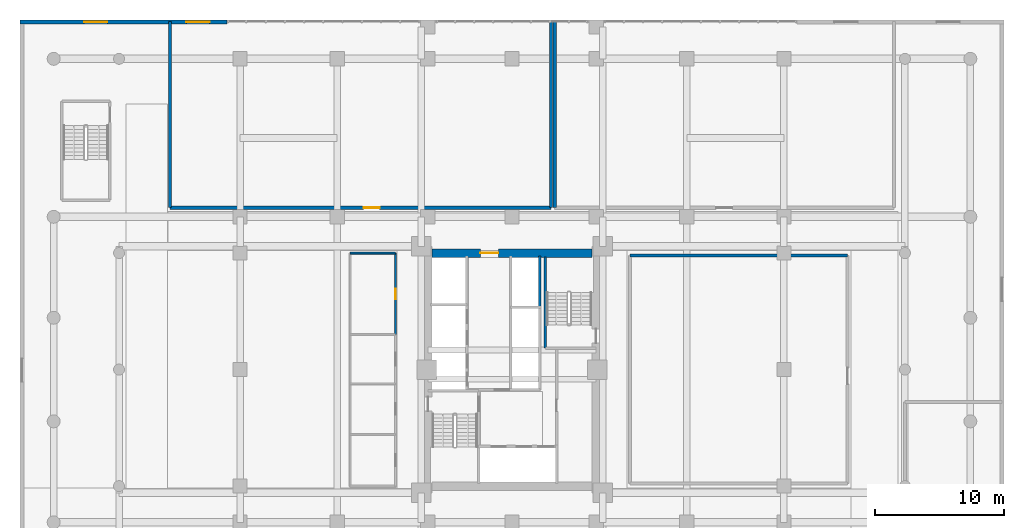
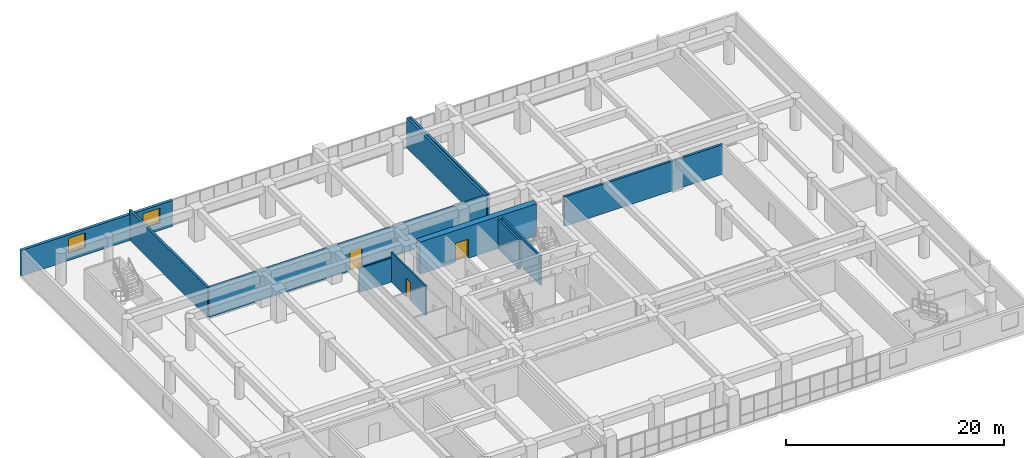
# One storey, part 20 of 30: 11 walls, 3 doors, 2 windows, 5 openings.
"""IFC4 building model written with IfcOpenShell, lengths in metres."""

from ifc_helpers import new_model, si_unit, direction, frame, frame_2d, origin, place, context, subcontext, project, spatial, rectangle, extrude, source, transform, mapped, material, layer, layer_set, type_object, element, fill, save


model = new_model("IFC4")

# Units and contexts
model_context = context("Model", 3, precision=1e-05, world=origin(), true_north=direction((0.0, 1.0)))
body_context = subcontext(model_context, "Body", "Model", "MODEL_VIEW")
ifc_project = project(units=[si_unit("LENGTHUNIT", "METRE"), si_unit("AREAUNIT", "SQUARE_METRE"), si_unit("VOLUMEUNIT", "CUBIC_METRE"), si_unit("PLANEANGLEUNIT", "RADIAN"), si_unit("MASSUNIT", "GRAM", prefix="KILO")], contexts=[model_context])

# Site, building, storey
site_placement = place(None, origin())
site = spatial("IfcSite", under=ifc_project, at=site_placement, CompositionType="ELEMENT")
building_placement = place(site_placement, origin())
building = spatial("IfcBuilding", under=site, at=building_placement, Name="Saelheon Loggia Tower", CompositionType="ELEMENT")
storey_placement = place(building_placement, frame((0.0, 0.0, 7.800048828125)))
storey = spatial("IfcBuildingStorey", under=building, at=storey_placement, Name="L02", CompositionType="ELEMENT", Elevation=7.800048828125)

# Wall, opening, door
ifc_material_1 = material(Name="Shielded High-Density Gypsum Partition", Category="gypsum")
ifc_layer_1 = layer(ifc_material_1, 0.239990234375)
ifc_layer_set_1 = layer_set([ifc_layer_1], Name="Shielded High-Density Gypsum Partition")
wall_type_1 = type_object("IfcWallType", Name="Wall_ClinicLead_240", PredefinedType="PARTITIONING", material=ifc_layer_set_1)
wall_1_placement = place(storey_placement, frame((11.60009765625, 39.5, 0.0), z_axis=(0.0, 0.0, 1.0), x_axis=(1.0, 0.0, 0.0)))
wall_1 = element("IfcWall", 1, at=wall_1_placement, inside=storey, type_object=wall_type_1, Name="PW-L02-LAB1-S", PredefinedType="PARTITIONING", context=body_context, shape_type="SweptSolid", body=[
    extrude(rectangle(XDim=29.39990234375, YDim=0.239990234375, at=frame_2d((14.699951171875, 0.0))), origin(), (0.0, 0.0, 1.0), 3.320068359375),
])
opening_1_placement = place(wall_1_placement, frame((14.932861328125, 0.0, 0.0)))
opening_1 = element("IfcOpeningElement", 2, at=opening_1_placement, cuts=wall_1, Name="Opening D-CL1", PredefinedType="OPENING", context=body_context, shape_type="SweptSolid", body=[
    extrude(rectangle(XDim=1.25, YDim=2.14990234375, at=frame_2d((0.625, 1.074951171875))), frame((0.0, 0.132080078125, 0.0), z_axis=(0.0, -1.0, 0.0), x_axis=(1.0, 0.0, 0.0)), (0.0, 0.0, 1.0), 0.263916015625),
])
ifc_material_2 = material(Name="Antimicrobial Hospital Laminate Door", Category="timber")
door_type_1 = type_object("IfcDoorType", Name="Door_Clinic_1250", OperationType="NOTDEFINED", PredefinedType="DOOR", material=ifc_material_2)
shared_shape_1 = source(origin(), body_context, "Body", "SweptSolid", [
    extrude(rectangle(XDim=1.25, YDim=2.14990234375, at=frame_2d((0.625, 1.074951171875))), frame((0.0, 0.02490234375, 0.0), z_axis=(0.0, -1.0, 0.0), x_axis=(1.0, 0.0, 0.0)), (0.0, 0.0, 1.0), 0.050048828125),
])
door_1_placement = place(opening_1_placement, origin())
door_1 = element("IfcDoor", 3, at=door_1_placement, inside=storey, type_object=door_type_1, Name="L02 Clinical Biochemistry Laboratory Hall Door", OperationType="SINGLE_SWING_LEFT", OverallHeight=2.14990234375, OverallWidth=1.25, PredefinedType="DOOR", context=body_context, shape_type="MappedRepresentation", body=[
    mapped(shared_shape_1, transform((0.0, 0.0, 0.0), scale=1.0)),
])
fill(opening_1, door_1)

# Walls
for number, where, z_axis, x_axis, name in (
    (4, (11.60009765625, 39.5, 0.0), (0.0, 0.0, 1.0), (0.0, 1.0, 0.0), "PW-L02-LAB1-W"),
    (5, (41.0, 39.5, 0.0), (0.0, 0.0, 1.0), (0.0, 1.0, 0.0), "PW-L02-LAB1-E"),
    (6, (41.300048828125, 39.5, 0.0), (0.0, 0.0, 1.0), (0.0, 1.0, 0.0), "PW-L02-SPEC2-W"),
):
    element("IfcWall", number, at=place(storey_placement, frame(where, z_axis=z_axis, x_axis=x_axis)), inside=storey, type_object=wall_type_1, Name=name, PredefinedType="PARTITIONING", context=body_context, shape_type="SweptSolid", body=[
        extrude(rectangle(XDim=14.39990234375, YDim=0.239990234375, at=frame_2d((7.199951171875, 0.0))), origin(), (0.0, 0.0, 1.0), 3.320068359375),
    ])
wall_2_placement = place(storey_placement, frame((47.10009765625, 35.800048828125, 0.0), z_axis=(0.0, 0.0, 1.0), x_axis=(1.0, 0.0, 0.0)))
element("IfcWall", 7, at=wall_2_placement, inside=storey, type_object=wall_type_1, Name="PW-L02-STAFF2-N", PredefinedType="PARTITIONING", context=body_context, shape_type="SweptSolid", body=[
    extrude(rectangle(XDim=16.7998046875, YDim=0.239990234375, at=frame_2d((8.39990234375, 0.0))), origin(), (0.0, 0.0, 1.0), 3.320068359375),
])

# Wall, opening, door
ifc_material_3 = material(Name="Concrete C60/75", Category="concrete")
ifc_layer_2 = layer(ifc_material_3, 0.64990234375)
ifc_layer_set_2 = layer_set([ifc_layer_2], Name="Concrete C60/75")
wall_type_2 = type_object("IfcWallType", Name="Wall_CoreShear_650", PredefinedType="SHEAR", material=ifc_layer_set_2)
wall_3_placement = place(storey_placement, frame((31.824951171875, 36.0, 0.0), z_axis=(0.0, 0.0, 1.0), x_axis=(1.0, 0.0, 0.0)))
wall_3 = element("IfcWall", 8, at=wall_3_placement, inside=storey, type_object=wall_type_2, Name="L02 Core Shear Wall North", PredefinedType="SHEAR", context=body_context, shape_type="SweptSolid", body=[
    extrude(rectangle(XDim=12.35009765625, YDim=0.64990234375, at=frame_2d((6.175048828125, 0.0))), origin(), (0.0, 0.0, 1.0), 3.599853515625),
])
opening_2_placement = place(wall_3_placement, frame((5.125, 0.0, 0.0), z_axis=(0.0, 0.0, 1.0), x_axis=(-1.0, 0.0, 0.0)))
opening_2 = element("IfcOpeningElement", 9, at=opening_2_placement, cuts=wall_3, Name="Opening D-FD2L", PredefinedType="OPENING", context=body_context, shape_type="SweptSolid", body=[
    extrude(rectangle(XDim=1.39990234375, YDim=2.14990234375, at=frame_2d((0.699951171875, 1.074951171875))), frame((0.0, 0.3369140625, 0.0), z_axis=(0.0, -1.0, 0.0), x_axis=(1.0, 0.0, 0.0)), (0.0, 0.0, 1.0), 0.673828125),
])
ifc_material_4 = material(Name="Galvanised Steel Glazed Lobby Fire Door", Category="steel")
door_type_2 = type_object("IfcDoorType", Name="Door_Fire_FD60_1400", OperationType="NOTDEFINED", PredefinedType="DOOR", material=ifc_material_4)
shared_shape_2 = source(origin(), body_context, "Body", "SweptSolid", [
    extrude(rectangle(XDim=1.39990234375, YDim=2.14990234375, at=frame_2d((0.699951171875, 1.074951171875))), frame((0.0, 0.02490234375, 0.0), z_axis=(0.0, -1.0, 0.0), x_axis=(1.0, 0.0, 0.0)), (0.0, 0.0, 1.0), 0.050048828125),
])
door_2_placement = place(opening_2_placement, origin())
door_2 = element("IfcDoor", 10, at=door_2_placement, inside=storey, type_object=door_type_2, Name="L02 Passenger Lift Lobby Main Door", OperationType="SINGLE_SWING_RIGHT", OverallHeight=2.14990234375, OverallWidth=1.39990234375, PredefinedType="DOOR", context=body_context, shape_type="MappedRepresentation", body=[
    mapped(shared_shape_2, transform((0.0, 0.0, 0.0), scale=1.0)),
])
fill(opening_2, door_2)

# Wall, openings, windows
ifc_material_5 = material(Name="Architectural Precast Concrete C40/50", Category="concrete")
ifc_layer_3 = layer(ifc_material_5, 0.300048828125)
ifc_layer_set_3 = layer_set([ifc_layer_3], Name="Architectural Precast Concrete C40/50")
wall_type_3 = type_object("IfcWallType", Name="Wall_Ext_Podium_300", PredefinedType="SOLIDWALL", material=ifc_layer_set_3)
wall_4_placement = place(storey_placement, frame((0.0, 53.85009765625, 0.0), z_axis=(0.0, 0.0, 1.0), x_axis=(1.0, 0.0, 0.0)))
wall_4 = element("IfcWall", 11, at=wall_4_placement, inside=storey, type_object=wall_type_3, Name="L02 North-West Precast Wall", PredefinedType="SOLIDWALL", context=body_context, shape_type="SweptSolid", body=[
    extrude(rectangle(XDim=16.0, YDim=0.300048828125, at=frame_2d((8.0, 0.0))), origin(), (0.0, 0.0, 1.0), 2.8798828125),
])
opening_3_placement = place(wall_4_placement, frame((4.955078125, 0.0, 0.85009765625)))
opening_3 = element("IfcOpeningElement", 12, at=opening_3_placement, cuts=wall_4, Name="Opening WN-01", PredefinedType="OPENING", context=body_context, shape_type="SweptSolid", body=[
    extrude(rectangle(XDim=1.800048828125, YDim=1.64990234375, at=frame_2d((0.89990234375, 0.824951171875))), frame((0.0, 0.162109375, 0.0), z_axis=(0.0, -1.0, 0.0), x_axis=(1.0, 0.0, 0.0)), (0.0, 0.0, 1.0), 0.323974609375),
])
opening_4_placement = place(wall_4_placement, frame((12.844970703125, 0.0, 0.85009765625)))
opening_4 = element("IfcOpeningElement", 13, at=opening_4_placement, cuts=wall_4, Name="Opening WN-01", PredefinedType="OPENING", context=body_context, shape_type="SweptSolid", body=[
    extrude(rectangle(XDim=1.800048828125, YDim=1.64990234375, at=frame_2d((0.89990234375, 0.824951171875))), frame((0.0, 0.162109375, 0.0), z_axis=(0.0, -1.0, 0.0), x_axis=(1.0, 0.0, 0.0)), (0.0, 0.0, 1.0), 0.323974609375),
])
ifc_material_6 = material(Name="Thermal-Break Aluminium and Triple Low-E Glass", Category="aluminium")
window_type = type_object("IfcWindowType", Name="Win_Dwelling_1800x1650", PartitioningType="SINGLE_PANEL", PredefinedType="WINDOW", material=ifc_material_6)
shared_shape_3 = source(origin(), body_context, "Body", "SweptSolid", [
    extrude(rectangle(XDim=1.800048828125, YDim=1.64990234375, at=frame_2d((0.89990234375, 0.824951171875))), frame((0.0, 0.030029296875, 0.0), z_axis=(0.0, -1.0, 0.0), x_axis=(1.0, 0.0, 0.0)), (0.0, 0.0, 1.0), 0.06005859375),
])
window_1_placement = place(opening_3_placement, origin())
window_1 = element("IfcWindow", 14, at=window_1_placement, inside=storey, type_object=window_type, Name="L02 NW Dwelling Window 1", OverallHeight=1.64990234375, OverallWidth=1.800048828125, PartitioningType="SINGLE_PANEL", PredefinedType="WINDOW", context=body_context, shape_type="MappedRepresentation", body=[
    mapped(shared_shape_3, transform((0.0, 0.0, 0.0), scale=1.0)),
])
fill(opening_3, window_1)
window_2_placement = place(opening_4_placement, origin())
window_2 = element("IfcWindow", 15, at=window_2_placement, inside=storey, type_object=window_type, Name="L02 NW Dwelling Window 2", OverallHeight=1.64990234375, OverallWidth=1.800048828125, PartitioningType="SINGLE_PANEL", PredefinedType="WINDOW", context=body_context, shape_type="MappedRepresentation", body=[
    mapped(shared_shape_3, transform((0.0, 0.0, 0.0), scale=1.0)),
])
fill(opening_4, window_2)

# Wall, opening, door
ifc_material_7 = material(Name="Lightweight Autoclaved Aerated Concrete Block and Acoustic Gypsum", Category="concrete")
ifc_layer_4 = layer(ifc_material_7, 0.14990234375)
ifc_layer_set_4 = layer_set([ifc_layer_4], Name="Lightweight Autoclaved Aerated Concrete Block and Acoustic Gypsum")
wall_type_4 = type_object("IfcWallType", Name="Wall_Part_150", PredefinedType="PARTITIONING", material=ifc_layer_set_4)
wall_5_placement = place(storey_placement, frame((29.0, 29.699951171875, 0.0), z_axis=(0.0, 0.0, 1.0), x_axis=(0.0, 1.0, 0.0)))
wall_5 = element("IfcWall", 16, at=wall_5_placement, inside=storey, type_object=wall_type_4, Name="PW-L02-WCS-E4", PredefinedType="PARTITIONING", context=body_context, shape_type="SweptSolid", body=[
    extrude(rectangle(XDim=6.300048828125, YDim=0.14990234375, at=frame_2d((3.14990234375, 0.0))), origin(), (0.0, 0.0, 1.0), 3.320068359375),
])
opening_5_placement = place(wall_5_placement, frame((2.75, 0.0, 0.0)))
opening_5 = element("IfcOpeningElement", 17, at=opening_5_placement, cuts=wall_5, Name="Opening D-ST1", PredefinedType="OPENING", context=body_context, shape_type="SweptSolid", body=[
    extrude(rectangle(XDim=0.800048828125, YDim=2.050048828125, at=frame_2d((0.39990234375, 1.02490234375))), frame((0.0, 0.0869140625, 0.0), z_axis=(0.0, -1.0, 0.0), x_axis=(1.0, 0.0, 0.0)), (0.0, 0.0, 1.0), 0.173828125),
])
ifc_material_8 = material(Name="Powder-Coated Steel Store Door", Category="steel")
door_type_3 = type_object("IfcDoorType", Name="Door_Store_800", OperationType="NOTDEFINED", PredefinedType="DOOR", material=ifc_material_8)
shared_shape_4 = source(origin(), body_context, "Body", "SweptSolid", [
    extrude(rectangle(XDim=0.800048828125, YDim=2.050048828125, at=frame_2d((0.39990234375, 1.02490234375))), frame((0.0, 0.02490234375, 0.0), z_axis=(0.0, -1.0, 0.0), x_axis=(1.0, 0.0, 0.0)), (0.0, 0.0, 1.0), 0.050048828125),
])
door_3_placement = place(opening_5_placement, origin())
door_3 = element("IfcDoor", 18, at=door_3_placement, inside=storey, type_object=door_type_3, Name="L02 Clinic Janitor Door", OperationType="SINGLE_SWING_RIGHT", OverallHeight=2.050048828125, OverallWidth=0.800048828125, PredefinedType="DOOR", context=body_context, shape_type="MappedRepresentation", body=[
    mapped(shared_shape_4, transform((0.0, 0.0, 0.0), scale=1.0)),
])
fill(opening_5, door_3)

# Walls
wall_6_placement = place(storey_placement, frame((25.5, 36.0, 0.0), z_axis=(0.0, 0.0, 1.0), x_axis=(1.0, 0.0, 0.0)))
element("IfcWall", 19, at=wall_6_placement, inside=storey, type_object=wall_type_4, Name="PW-L02-WCS-N", PredefinedType="PARTITIONING", context=body_context, shape_type="SweptSolid", body=[
    extrude(rectangle(XDim=3.5, YDim=0.14990234375, at=frame_2d((1.75, 0.0))), origin(), (0.0, 0.0, 1.0), 2.68994140625),
])
ifc_material_9 = material(Name="Concrete C40/50", Category="concrete")
ifc_layer_5 = layer(ifc_material_9, 0.199951171875)
ifc_layer_set_5 = layer_set([ifc_layer_5], Name="Concrete C40/50")
wall_type_5 = type_object("IfcWallType", Name="Wall_Shaft_200", PredefinedType="PARTITIONING", material=ifc_layer_set_5)
wall_7_placement = place(storey_placement, frame((40.14990234375, 31.800048828125, 0.0), z_axis=(0.0, 0.0, 1.0), x_axis=(0.0, 1.0, 0.0)))
element("IfcWall", 20, at=wall_7_placement, inside=storey, type_object=wall_type_5, Name="L02 East High-Rise Hoistway East Wall", PredefinedType="PARTITIONING", context=body_context, shape_type="SweptSolid", body=[
    extrude(rectangle(XDim=3.97998046875, YDim=0.199951171875, at=frame_2d((1.989990234375, 0.0))), origin(), (0.0, 0.0, 1.0), 3.320068359375),
])
ifc_material_10 = material(Name="Concrete C45/55", Category="concrete")
ifc_layer_6 = layer(ifc_material_10, 0.199951171875)
ifc_layer_set_6 = layer_set([ifc_layer_6], Name="Concrete C45/55")
wall_type_6 = type_object("IfcWallType", Name="Wall_StairShaft_RC200", PredefinedType="SOLIDWALL", material=ifc_layer_set_6)
wall_8_placement = place(storey_placement, frame((40.570068359375, 28.64990234375, 0.0), z_axis=(0.0, 0.0, 1.0), x_axis=(0.0, 1.0, 0.0)))
element("IfcWall", 21, at=wall_8_placement, inside=storey, type_object=wall_type_6, Name="L02 Stair ST2 Shaft Wall", PredefinedType="SOLIDWALL", context=body_context, shape_type="SweptSolid", body=[
    extrude(rectangle(XDim=7.050048828125, YDim=0.199951171875, at=frame_2d((3.52490234375, 0.0))), origin(), (0.0, 0.0, 1.0), 3.320068359375),
])

save(model, "model.ifc")
